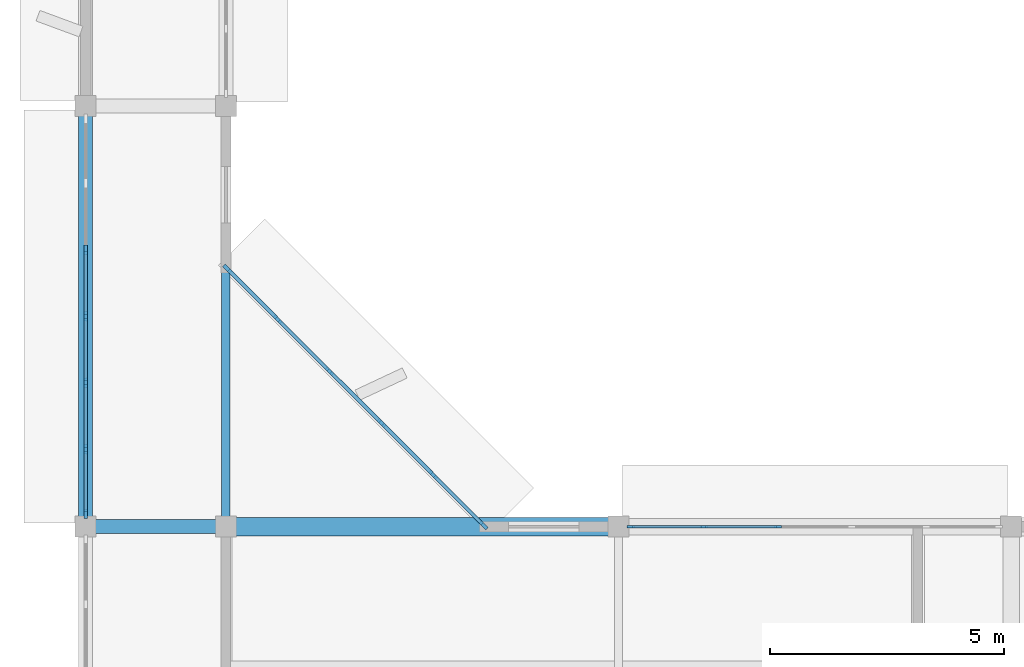
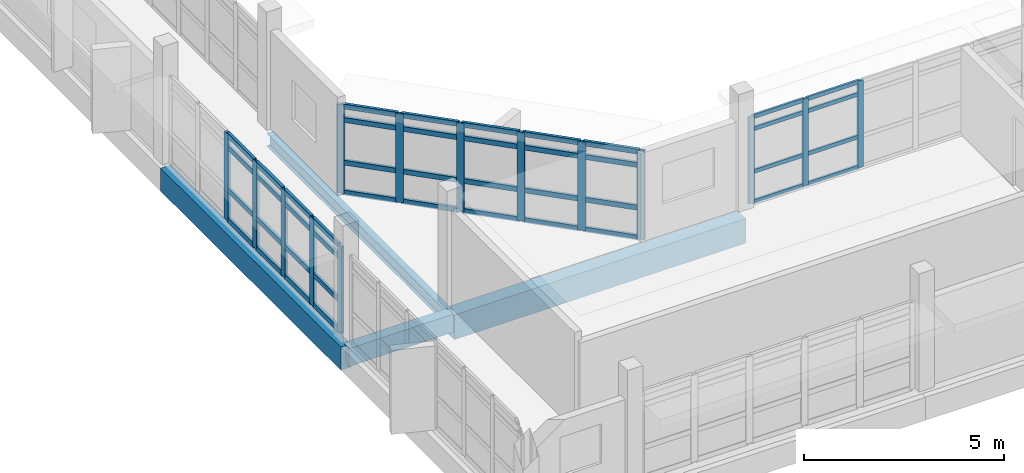
# One storey, part 3 of 42: 58 members, 4 beams, 3 elements without a shape of their own.
"""IFC4 building model written with IfcOpenShell, lengths in metres."""

from ifc_helpers import new_model, si_unit, direction, frame, origin, origin_2d, place, context, subcontext, project, spatial, rectangle, i_section, extrude, material, material_profile, profile_set, type_object, element, aggregate, save


model = new_model("IFC4")

# Units and contexts
model_context = context("Model", 3, precision=1e-05, world=origin(), true_north=direction((0.0, 1.0)))
body_context = subcontext(model_context, "Body", "Model", "MODEL_VIEW")
ifc_project = project(units=[si_unit("LENGTHUNIT", "METRE"), si_unit("AREAUNIT", "SQUARE_METRE"), si_unit("VOLUMEUNIT", "CUBIC_METRE"), si_unit("PLANEANGLEUNIT", "RADIAN"), si_unit("MASSUNIT", "GRAM", prefix="KILO")], contexts=[model_context])

# Site, building, storey
site_placement = place(None, origin())
site = spatial("IfcSite", under=ifc_project, at=site_placement, CompositionType="ELEMENT")
building_placement = place(site_placement, origin())
building = spatial("IfcBuilding", under=site, at=building_placement, Name="Vanh Quang Courtyard School", CompositionType="ELEMENT")
storey_placement = place(building_placement, frame((0.0, 0.0, 15.0)))
storey = spatial("IfcBuildingStorey", under=building, at=storey_placement, Name="L04", CompositionType="ELEMENT", Elevation=15.0)

# Beams
ifc_material_1 = material(Name="Concrete C35/45", Category="concrete")
ifc_material_profile_1 = material_profile(ifc_material_1, rectangle(XDim=0.300048828125, YDim=0.550048828125, at=origin_2d()), Name="RC-BM 300x550")
ifc_profile_set_1 = profile_set([ifc_material_profile_1], Name="Concrete C35/45")
beam_type_1 = type_object("IfcBeamType", Name="BM-RC-300x550", PredefinedType="BEAM", material=ifc_profile_set_1)
beam_1_placement = place(storey_placement, frame((37.800048828125, 41.39990234375, -0.534912109375), z_axis=(1.0, 0.0, 0.0), x_axis=(0.0, 1.0, 0.0)))
element("IfcBeam", 1, at=beam_1_placement, inside=storey, type_object=beam_type_1, Name="Beam B-07 (L04)", PredefinedType="BEAM", context=body_context, shape_type="SweptSolid", body=[
    extrude(rectangle(XDim=0.300048828125, YDim=0.550048828125, at=origin_2d()), origin(), (0.0, 0.0, 1.0), 3.0),
])
ifc_material_profile_2 = material_profile(ifc_material_1, rectangle(XDim=0.39990234375, YDim=0.75, at=origin_2d()), Name="RC-BM 400x750")
ifc_profile_set_2 = profile_set([ifc_material_profile_2], Name="Concrete C35/45")
beam_type_2 = type_object("IfcBeamType", Name="BM-RC-400x750", PredefinedType="BEAM", material=ifc_profile_set_2)
beam_2_placement = place(storey_placement, frame((40.800048828125, 41.39990234375, -0.635009765625), z_axis=(1.0, 0.0, 0.0), x_axis=(0.0, 1.0, 0.0)))
element("IfcBeam", 2, at=beam_2_placement, inside=storey, type_object=beam_type_2, Name="Beam B-03 (L04)", PredefinedType="BEAM", context=body_context, shape_type="SweptSolid", body=[
    extrude(rectangle(XDim=0.39990234375, YDim=0.75, at=origin_2d()), origin(), (0.0, 0.0, 1.0), 8.39990234375),
])
ifc_material_profile_3 = material_profile(ifc_material_1, rectangle(XDim=0.300048828125, YDim=0.699951171875, at=origin_2d()), Name="RC-SP 300x700")
ifc_profile_set_3 = profile_set([ifc_material_profile_3], Name="Concrete C35/45")
beam_type_3 = type_object("IfcBeamType", Name="BM-SP-300x700", PredefinedType="SPANDREL", material=ifc_profile_set_3)
beam_3_placement = place(storey_placement, frame((37.800048828125, 41.39990234375, -0.610107421875), z_axis=(0.0, 1.0, 0.0), x_axis=(-1.0, 0.0, 0.0)))
element("IfcBeam", 3, at=beam_3_placement, inside=storey, type_object=beam_type_3, Name="Beam BS-01 (L04)", PredefinedType="SPANDREL", context=body_context, shape_type="SweptSolid", body=[
    extrude(rectangle(XDim=0.300048828125, YDim=0.699951171875, at=origin_2d()), origin(), (0.0, 0.0, 1.0), 9.0),
])
ifc_material_2 = material(Name="Structural steel EN 10025-2 S355J2", Category="steel")
ifc_material_profile_4 = material_profile(ifc_material_2, i_section(OverallWidth=0.179931640625, OverallDepth=0.39990234375, WebThickness=0.008544921875, FlangeThickness=0.013427734375, FilletRadius=0.02099609375, at=origin_2d()), Name="IPE 400")
ifc_profile_set_4 = profile_set([ifc_material_profile_4], Name="Structural steel EN 10025-2 S355J2")
beam_type_4 = type_object("IfcBeamType", Name="BM-STL-IPE400", PredefinedType="BEAM", material=ifc_profile_set_4)
beam_4_placement = place(storey_placement, frame((40.800048828125, 41.39990234375, -0.4599609375), z_axis=(0.0, 1.0, 0.0), x_axis=(-1.0, 0.0, 0.0)))
element("IfcBeam", 4, at=beam_4_placement, inside=storey, type_object=beam_type_4, Name="Beam SB-05 (L04)", PredefinedType="BEAM", context=body_context, shape_type="SweptSolid", body=[
    extrude(i_section(OverallWidth=0.179931640625, OverallDepth=0.39990234375, WebThickness=0.008544921875, FlangeThickness=0.013427734375, FilletRadius=0.02099609375, at=origin_2d()), origin(), (0.0, 0.0, 1.0), 9.0),
])

# Curtain wall, members
ifc_material_3 = material(Name="Thermally broken aluminium unitised curtain wall", Category="aluminium")
curtain_wall_type_1 = type_object("IfcCurtainWallType", Name="CW-SYS-19", PredefinedType="NOTDEFINED", material=ifc_material_3)
curtain_wall_1_placement = place(storey_placement, origin())
curtain_wall_1 = element("IfcCurtainWall", 5, at=curtain_wall_1_placement, inside=storey, type_object=curtain_wall_type_1, Name="Curtain Wall CW-19 (L04)", PredefinedType="NOTDEFINED")
ifc_material_4 = material(Name="Anodised aluminium 6063-T6", Category="aluminium")
ifc_material_profile_5 = material_profile(ifc_material_4, rectangle(XDim=0.06005859375, YDim=0.159912109375, at=origin_2d()), Name="ALU-MUL 60x160")
ifc_profile_set_5 = profile_set([ifc_material_profile_5], Name="Anodised aluminium 6063-T6")
member_type_1 = type_object("IfcMemberType", Name="CW-MUL-60x160", PredefinedType="MULLION", material=ifc_profile_set_5)
member_1_placement = place(storey_placement, frame((49.462890625, 41.39990234375, 0.0), z_axis=(0.0, 0.0, 1.0), x_axis=(0.0, 1.0, 0.0)))
member_1 = element("IfcMember", 6, at=member_1_placement, type_object=member_type_1, Name="CW-19 mullion 1", PredefinedType="MULLION", context=body_context, shape_type="SweptSolid", body=[
    extrude(rectangle(XDim=0.06005859375, YDim=0.159912109375, at=origin_2d()), origin(), (0.0, 0.0, 1.0), 2.64990234375),
])
member_2_placement = place(storey_placement, frame((51.019775390625, 41.39990234375, 0.0), z_axis=(0.0, 0.0, 1.0), x_axis=(0.0, 1.0, 0.0)))
member_2 = element("IfcMember", 7, at=member_2_placement, type_object=member_type_1, Name="CW-19 mullion 2", PredefinedType="MULLION", context=body_context, shape_type="SweptSolid", body=[
    extrude(rectangle(XDim=0.06005859375, YDim=0.159912109375, at=origin_2d()), origin(), (0.0, 0.0, 1.0), 2.64990234375),
])
member_3_placement = place(storey_placement, frame((52.606689453125, 41.39990234375, 0.0), z_axis=(0.0, 0.0, 1.0), x_axis=(0.0, 1.0, 0.0)))
member_3 = element("IfcMember", 8, at=member_3_placement, type_object=member_type_1, Name="CW-19 mullion 3", PredefinedType="MULLION", context=body_context, shape_type="SweptSolid", body=[
    extrude(rectangle(XDim=0.06005859375, YDim=0.159912109375, at=origin_2d()), origin(), (0.0, 0.0, 1.0), 2.64990234375),
])

curtain_wall_type_2 = type_object("IfcCurtainWallType", Name="CW-SYS-50", PredefinedType="NOTDEFINED", material=ifc_material_3)
curtain_wall_2_placement = place(storey_placement, origin())
curtain_wall_2 = element("IfcCurtainWall", 9, at=curtain_wall_2_placement, inside=storey, type_object=curtain_wall_type_2, Name="Curtain Wall CW-50 (L04)", PredefinedType="NOTDEFINED")
ifc_material_profile_6 = material_profile(ifc_material_4, rectangle(XDim=0.080078125, YDim=0.199951171875, at=origin_2d()), Name="ALU-MUL 80x200")
ifc_profile_set_6 = profile_set([ifc_material_profile_6], Name="Anodised aluminium 6063-T6")
member_type_2 = type_object("IfcMemberType", Name="CW-MUL-80x200", PredefinedType="MULLION", material=ifc_profile_set_6)
member_4_placement = place(storey_placement, frame((37.800048828125, 41.673095703125, 0.0), z_axis=(0.0, 0.0, 1.0), x_axis=(-1.0, 0.0, 0.0)))
member_4 = element("IfcMember", 10, at=member_4_placement, type_object=member_type_2, Name="CW-50 mullion 1", PredefinedType="MULLION", context=body_context, shape_type="SweptSolid", body=[
    extrude(rectangle(XDim=0.080078125, YDim=0.199951171875, at=origin_2d()), origin(), (0.0, 0.0, 1.0), 2.64990234375),
])
member_5_placement = place(storey_placement, frame((37.800048828125, 43.055419921875, 0.0), z_axis=(0.0, 0.0, 1.0), x_axis=(-1.0, 0.0, 0.0)))
member_5 = element("IfcMember", 11, at=member_5_placement, type_object=member_type_2, Name="CW-50 mullion 2", PredefinedType="MULLION", context=body_context, shape_type="SweptSolid", body=[
    extrude(rectangle(XDim=0.080078125, YDim=0.199951171875, at=origin_2d()), origin(), (0.0, 0.0, 1.0), 2.64990234375),
])
member_6_placement = place(storey_placement, frame((37.800048828125, 44.477783203125, 0.0), z_axis=(0.0, 0.0, 1.0), x_axis=(-1.0, 0.0, 0.0)))
member_6 = element("IfcMember", 12, at=member_6_placement, type_object=member_type_2, Name="CW-50 mullion 3", PredefinedType="MULLION", context=body_context, shape_type="SweptSolid", body=[
    extrude(rectangle(XDim=0.080078125, YDim=0.199951171875, at=origin_2d()), origin(), (0.0, 0.0, 1.0), 2.64990234375),
])
member_7_placement = place(storey_placement, frame((37.800048828125, 45.89990234375, 0.0), z_axis=(0.0, 0.0, 1.0), x_axis=(-1.0, 0.0, 0.0)))
member_7 = element("IfcMember", 13, at=member_7_placement, type_object=member_type_2, Name="CW-50 mullion 4", PredefinedType="MULLION", context=body_context, shape_type="SweptSolid", body=[
    extrude(rectangle(XDim=0.080078125, YDim=0.199951171875, at=origin_2d()), origin(), (0.0, 0.0, 1.0), 2.64990234375),
])
member_8_placement = place(storey_placement, frame((37.800048828125, 47.322265625, 0.0), z_axis=(0.0, 0.0, 1.0), x_axis=(-1.0, 0.0, 0.0)))
member_8 = element("IfcMember", 14, at=member_8_placement, type_object=member_type_2, Name="CW-50 mullion 5", PredefinedType="MULLION", context=body_context, shape_type="SweptSolid", body=[
    extrude(rectangle(XDim=0.080078125, YDim=0.199951171875, at=origin_2d()), origin(), (0.0, 0.0, 1.0), 2.64990234375),
])

curtain_wall_type_3 = type_object("IfcCurtainWallType", Name="CW-SYS-51", PredefinedType="NOTDEFINED", material=ifc_material_3)
curtain_wall_3_placement = place(storey_placement, origin())
curtain_wall_3 = element("IfcCurtainWall", 15, at=curtain_wall_3_placement, inside=storey, type_object=curtain_wall_type_3, Name="Curtain Wall CW-51 (L04)", PredefinedType="NOTDEFINED")
member_9_placement = place(storey_placement, frame((40.828369140625, 46.915771484375, 0.0), z_axis=(0.0, 0.0, 1.0), x_axis=(0.707106781187, 0.707106781187, 0.0)))
member_9 = element("IfcMember", 16, at=member_9_placement, type_object=member_type_2, Name="CW-51 mullion 1", PredefinedType="MULLION", context=body_context, shape_type="SweptSolid", body=[
    extrude(rectangle(XDim=0.080078125, YDim=0.199951171875, at=origin_2d()), origin(), (0.0, 0.0, 1.0), 2.699951171875),
])
member_10_placement = place(storey_placement, frame((41.90869140625, 45.835205078125, 0.0), z_axis=(0.0, 0.0, 1.0), x_axis=(0.707106781187, 0.707106781187, 0.0)))
member_10 = element("IfcMember", 17, at=member_10_placement, type_object=member_type_2, Name="CW-51 mullion 2", PredefinedType="MULLION", context=body_context, shape_type="SweptSolid", body=[
    extrude(rectangle(XDim=0.080078125, YDim=0.199951171875, at=origin_2d()), origin(), (0.0, 0.0, 1.0), 2.699951171875),
])
member_11_placement = place(storey_placement, frame((43.017578125, 44.726318359375, 0.0), z_axis=(0.0, 0.0, 1.0), x_axis=(0.707106781187, 0.707106781187, 0.0)))
member_11 = element("IfcMember", 18, at=member_11_placement, type_object=member_type_2, Name="CW-51 mullion 3", PredefinedType="MULLION", context=body_context, shape_type="SweptSolid", body=[
    extrude(rectangle(XDim=0.080078125, YDim=0.199951171875, at=origin_2d()), origin(), (0.0, 0.0, 1.0), 2.699951171875),
])
member_12_placement = place(storey_placement, frame((44.12646484375, 43.61767578125, 0.0), z_axis=(0.0, 0.0, 1.0), x_axis=(0.707106781187, 0.707106781187, 0.0)))
member_12 = element("IfcMember", 19, at=member_12_placement, type_object=member_type_2, Name="CW-51 mullion 4", PredefinedType="MULLION", context=body_context, shape_type="SweptSolid", body=[
    extrude(rectangle(XDim=0.080078125, YDim=0.199951171875, at=origin_2d()), origin(), (0.0, 0.0, 1.0), 2.699951171875),
])
member_13_placement = place(storey_placement, frame((45.235107421875, 42.5087890625, 0.0), z_axis=(0.0, 0.0, 1.0), x_axis=(0.707106781187, 0.707106781187, 0.0)))
member_13 = element("IfcMember", 20, at=member_13_placement, type_object=member_type_2, Name="CW-51 mullion 5", PredefinedType="MULLION", context=body_context, shape_type="SweptSolid", body=[
    extrude(rectangle(XDim=0.080078125, YDim=0.199951171875, at=origin_2d()), origin(), (0.0, 0.0, 1.0), 2.699951171875),
])
member_14_placement = place(storey_placement, frame((46.315673828125, 41.42822265625, 0.0), z_axis=(0.0, 0.0, 1.0), x_axis=(0.707106781187, 0.707106781187, 0.0)))
member_14 = element("IfcMember", 21, at=member_14_placement, type_object=member_type_2, Name="CW-51 mullion 6", PredefinedType="MULLION", context=body_context, shape_type="SweptSolid", body=[
    extrude(rectangle(XDim=0.080078125, YDim=0.199951171875, at=origin_2d()), origin(), (0.0, 0.0, 1.0), 2.699951171875),
])

# Member
ifc_material_profile_7 = material_profile(ifc_material_4, rectangle(XDim=0.06005859375, YDim=0.1201171875, at=origin_2d()), Name="ALU-TRN 60x120")
ifc_profile_set_7 = profile_set([ifc_material_profile_7], Name="Anodised aluminium 6063-T6")
member_type_3 = type_object("IfcMemberType", Name="CW-TRN-60x120", PredefinedType="USERDEFINED", material=ifc_profile_set_7)
member_15_placement = place(storey_placement, frame((49.492919921875, 41.39990234375, 0.030029296875), z_axis=(1.0, 0.0, 0.0), x_axis=(0.0, 1.0, 0.0)))
member_15 = element("IfcMember", 22, at=member_15_placement, type_object=member_type_3, Name="CW-19 transom 1.1", ObjectType="TRANSOM", PredefinedType="USERDEFINED", context=body_context, shape_type="SweptSolid", body=[
    extrude(rectangle(XDim=0.06005859375, YDim=0.1201171875, at=origin_2d()), origin(), (0.0, 0.0, 1.0), 1.496826171875),
])

member_16_placement = place(storey_placement, frame((49.492919921875, 41.39990234375, 0.949951171875), z_axis=(1.0, 0.0, 0.0), x_axis=(0.0, 1.0, 0.0)))
member_16 = element("IfcMember", 23, at=member_16_placement, type_object=member_type_3, Name="CW-19 transom 1.2", ObjectType="TRANSOM", PredefinedType="USERDEFINED", context=body_context, shape_type="SweptSolid", body=[
    extrude(rectangle(XDim=0.06005859375, YDim=0.1201171875, at=origin_2d()), origin(), (0.0, 0.0, 1.0), 1.496826171875),
])

member_17_placement = place(storey_placement, frame((49.492919921875, 41.39990234375, 2.25), z_axis=(1.0, 0.0, 0.0), x_axis=(0.0, 1.0, 0.0)))
member_17 = element("IfcMember", 24, at=member_17_placement, type_object=member_type_3, Name="CW-19 transom 1.3", ObjectType="TRANSOM", PredefinedType="USERDEFINED", context=body_context, shape_type="SweptSolid", body=[
    extrude(rectangle(XDim=0.06005859375, YDim=0.1201171875, at=origin_2d()), origin(), (0.0, 0.0, 1.0), 1.496826171875),
])

member_18_placement = place(storey_placement, frame((49.492919921875, 41.39990234375, 2.6201171875), z_axis=(1.0, 0.0, 0.0), x_axis=(0.0, 1.0, 0.0)))
member_18 = element("IfcMember", 25, at=member_18_placement, type_object=member_type_3, Name="CW-19 transom 1.4", ObjectType="TRANSOM", PredefinedType="USERDEFINED", context=body_context, shape_type="SweptSolid", body=[
    extrude(rectangle(XDim=0.06005859375, YDim=0.1201171875, at=origin_2d()), origin(), (0.0, 0.0, 1.0), 1.496826171875),
])

member_19_placement = place(storey_placement, frame((51.0498046875, 41.39990234375, 0.030029296875), z_axis=(1.0, 0.0, 0.0), x_axis=(0.0, 1.0, 0.0)))
member_19 = element("IfcMember", 26, at=member_19_placement, type_object=member_type_3, Name="CW-19 transom 2.1", ObjectType="TRANSOM", PredefinedType="USERDEFINED", context=body_context, shape_type="SweptSolid", body=[
    extrude(rectangle(XDim=0.06005859375, YDim=0.1201171875, at=origin_2d()), origin(), (0.0, 0.0, 1.0), 1.52685546875),
])

member_20_placement = place(storey_placement, frame((51.0498046875, 41.39990234375, 0.949951171875), z_axis=(1.0, 0.0, 0.0), x_axis=(0.0, 1.0, 0.0)))
member_20 = element("IfcMember", 27, at=member_20_placement, type_object=member_type_3, Name="CW-19 transom 2.2", ObjectType="TRANSOM", PredefinedType="USERDEFINED", context=body_context, shape_type="SweptSolid", body=[
    extrude(rectangle(XDim=0.06005859375, YDim=0.1201171875, at=origin_2d()), origin(), (0.0, 0.0, 1.0), 1.52685546875),
])

member_21_placement = place(storey_placement, frame((51.0498046875, 41.39990234375, 2.25), z_axis=(1.0, 0.0, 0.0), x_axis=(0.0, 1.0, 0.0)))
member_21 = element("IfcMember", 28, at=member_21_placement, type_object=member_type_3, Name="CW-19 transom 2.3", ObjectType="TRANSOM", PredefinedType="USERDEFINED", context=body_context, shape_type="SweptSolid", body=[
    extrude(rectangle(XDim=0.06005859375, YDim=0.1201171875, at=origin_2d()), origin(), (0.0, 0.0, 1.0), 1.52685546875),
])

member_22_placement = place(storey_placement, frame((51.0498046875, 41.39990234375, 2.6201171875), z_axis=(1.0, 0.0, 0.0), x_axis=(0.0, 1.0, 0.0)))
member_22 = element("IfcMember", 29, at=member_22_placement, type_object=member_type_3, Name="CW-19 transom 2.4", ObjectType="TRANSOM", PredefinedType="USERDEFINED", context=body_context, shape_type="SweptSolid", body=[
    extrude(rectangle(XDim=0.06005859375, YDim=0.1201171875, at=origin_2d()), origin(), (0.0, 0.0, 1.0), 1.52685546875),
])

aggregate(curtain_wall_1, [member_1, member_2, member_3, member_15, member_16, member_17, member_18, member_19, member_20, member_21, member_22])

ifc_material_profile_8 = material_profile(ifc_material_4, rectangle(XDim=0.080078125, YDim=0.14990234375, at=origin_2d()), Name="ALU-TRN 80x150")
ifc_profile_set_8 = profile_set([ifc_material_profile_8], Name="Anodised aluminium 6063-T6")
member_type_4 = type_object("IfcMemberType", Name="CW-TRN-80x150", PredefinedType="USERDEFINED", material=ifc_profile_set_8)
member_23_placement = place(storey_placement, frame((37.800048828125, 41.712890625, 0.0400390625), z_axis=(0.0, 1.0, 0.0), x_axis=(-1.0, 0.0, 0.0)))
member_23 = element("IfcMember", 30, at=member_23_placement, type_object=member_type_4, Name="CW-50 transom 1.1", ObjectType="TRANSOM", PredefinedType="USERDEFINED", context=body_context, shape_type="SweptSolid", body=[
    extrude(rectangle(XDim=0.080078125, YDim=0.14990234375, at=origin_2d()), origin(), (0.0, 0.0, 1.0), 1.302490234375),
])

member_24_placement = place(storey_placement, frame((37.800048828125, 41.712890625, 0.949951171875), z_axis=(0.0, 1.0, 0.0), x_axis=(-1.0, 0.0, 0.0)))
member_24 = element("IfcMember", 31, at=member_24_placement, type_object=member_type_4, Name="CW-50 transom 1.2", ObjectType="TRANSOM", PredefinedType="USERDEFINED", context=body_context, shape_type="SweptSolid", body=[
    extrude(rectangle(XDim=0.080078125, YDim=0.14990234375, at=origin_2d()), origin(), (0.0, 0.0, 1.0), 1.302490234375),
])

member_25_placement = place(storey_placement, frame((37.800048828125, 41.712890625, 2.25), z_axis=(0.0, 1.0, 0.0), x_axis=(-1.0, 0.0, 0.0)))
member_25 = element("IfcMember", 32, at=member_25_placement, type_object=member_type_4, Name="CW-50 transom 1.3", ObjectType="TRANSOM", PredefinedType="USERDEFINED", context=body_context, shape_type="SweptSolid", body=[
    extrude(rectangle(XDim=0.080078125, YDim=0.14990234375, at=origin_2d()), origin(), (0.0, 0.0, 1.0), 1.302490234375),
])

member_26_placement = place(storey_placement, frame((37.800048828125, 41.712890625, 2.610107421875), z_axis=(0.0, 1.0, 0.0), x_axis=(-1.0, 0.0, 0.0)))
member_26 = element("IfcMember", 33, at=member_26_placement, type_object=member_type_4, Name="CW-50 transom 1.4", ObjectType="TRANSOM", PredefinedType="USERDEFINED", context=body_context, shape_type="SweptSolid", body=[
    extrude(rectangle(XDim=0.080078125, YDim=0.14990234375, at=origin_2d()), origin(), (0.0, 0.0, 1.0), 1.302490234375),
])

member_27_placement = place(storey_placement, frame((37.800048828125, 43.09521484375, 0.0400390625), z_axis=(0.0, 1.0, 0.0), x_axis=(-1.0, 0.0, 0.0)))
member_27 = element("IfcMember", 34, at=member_27_placement, type_object=member_type_4, Name="CW-50 transom 2.1", ObjectType="TRANSOM", PredefinedType="USERDEFINED", context=body_context, shape_type="SweptSolid", body=[
    extrude(rectangle(XDim=0.080078125, YDim=0.14990234375, at=origin_2d()), origin(), (0.0, 0.0, 1.0), 1.342529296875),
])

member_28_placement = place(storey_placement, frame((37.800048828125, 43.09521484375, 0.949951171875), z_axis=(0.0, 1.0, 0.0), x_axis=(-1.0, 0.0, 0.0)))
member_28 = element("IfcMember", 35, at=member_28_placement, type_object=member_type_4, Name="CW-50 transom 2.2", ObjectType="TRANSOM", PredefinedType="USERDEFINED", context=body_context, shape_type="SweptSolid", body=[
    extrude(rectangle(XDim=0.080078125, YDim=0.14990234375, at=origin_2d()), origin(), (0.0, 0.0, 1.0), 1.342529296875),
])

member_29_placement = place(storey_placement, frame((37.800048828125, 43.09521484375, 2.25), z_axis=(0.0, 1.0, 0.0), x_axis=(-1.0, 0.0, 0.0)))
member_29 = element("IfcMember", 36, at=member_29_placement, type_object=member_type_4, Name="CW-50 transom 2.3", ObjectType="TRANSOM", PredefinedType="USERDEFINED", context=body_context, shape_type="SweptSolid", body=[
    extrude(rectangle(XDim=0.080078125, YDim=0.14990234375, at=origin_2d()), origin(), (0.0, 0.0, 1.0), 1.342529296875),
])

member_30_placement = place(storey_placement, frame((37.800048828125, 43.09521484375, 2.610107421875), z_axis=(0.0, 1.0, 0.0), x_axis=(-1.0, 0.0, 0.0)))
member_30 = element("IfcMember", 37, at=member_30_placement, type_object=member_type_4, Name="CW-50 transom 2.4", ObjectType="TRANSOM", PredefinedType="USERDEFINED", context=body_context, shape_type="SweptSolid", body=[
    extrude(rectangle(XDim=0.080078125, YDim=0.14990234375, at=origin_2d()), origin(), (0.0, 0.0, 1.0), 1.342529296875),
])

member_31_placement = place(storey_placement, frame((37.800048828125, 44.517578125, 0.0400390625), z_axis=(0.0, 1.0, 0.0), x_axis=(-1.0, 0.0, 0.0)))
member_31 = element("IfcMember", 38, at=member_31_placement, type_object=member_type_4, Name="CW-50 transom 3.1", ObjectType="TRANSOM", PredefinedType="USERDEFINED", context=body_context, shape_type="SweptSolid", body=[
    extrude(rectangle(XDim=0.080078125, YDim=0.14990234375, at=origin_2d()), origin(), (0.0, 0.0, 1.0), 1.342529296875),
])

member_32_placement = place(storey_placement, frame((37.800048828125, 44.517578125, 0.949951171875), z_axis=(0.0, 1.0, 0.0), x_axis=(-1.0, 0.0, 0.0)))
member_32 = element("IfcMember", 39, at=member_32_placement, type_object=member_type_4, Name="CW-50 transom 3.2", ObjectType="TRANSOM", PredefinedType="USERDEFINED", context=body_context, shape_type="SweptSolid", body=[
    extrude(rectangle(XDim=0.080078125, YDim=0.14990234375, at=origin_2d()), origin(), (0.0, 0.0, 1.0), 1.342529296875),
])

member_33_placement = place(storey_placement, frame((37.800048828125, 44.517578125, 2.25), z_axis=(0.0, 1.0, 0.0), x_axis=(-1.0, 0.0, 0.0)))
member_33 = element("IfcMember", 40, at=member_33_placement, type_object=member_type_4, Name="CW-50 transom 3.3", ObjectType="TRANSOM", PredefinedType="USERDEFINED", context=body_context, shape_type="SweptSolid", body=[
    extrude(rectangle(XDim=0.080078125, YDim=0.14990234375, at=origin_2d()), origin(), (0.0, 0.0, 1.0), 1.342529296875),
])

member_34_placement = place(storey_placement, frame((37.800048828125, 44.517578125, 2.610107421875), z_axis=(0.0, 1.0, 0.0), x_axis=(-1.0, 0.0, 0.0)))
member_34 = element("IfcMember", 41, at=member_34_placement, type_object=member_type_4, Name="CW-50 transom 3.4", ObjectType="TRANSOM", PredefinedType="USERDEFINED", context=body_context, shape_type="SweptSolid", body=[
    extrude(rectangle(XDim=0.080078125, YDim=0.14990234375, at=origin_2d()), origin(), (0.0, 0.0, 1.0), 1.342529296875),
])

member_35_placement = place(storey_placement, frame((37.800048828125, 45.93994140625, 0.0400390625), z_axis=(0.0, 1.0, 0.0), x_axis=(-1.0, 0.0, 0.0)))
member_35 = element("IfcMember", 42, at=member_35_placement, type_object=member_type_4, Name="CW-50 transom 4.1", ObjectType="TRANSOM", PredefinedType="USERDEFINED", context=body_context, shape_type="SweptSolid", body=[
    extrude(rectangle(XDim=0.080078125, YDim=0.14990234375, at=origin_2d()), origin(), (0.0, 0.0, 1.0), 1.34228515625),
])

member_36_placement = place(storey_placement, frame((37.800048828125, 45.93994140625, 0.949951171875), z_axis=(0.0, 1.0, 0.0), x_axis=(-1.0, 0.0, 0.0)))
member_36 = element("IfcMember", 43, at=member_36_placement, type_object=member_type_4, Name="CW-50 transom 4.2", ObjectType="TRANSOM", PredefinedType="USERDEFINED", context=body_context, shape_type="SweptSolid", body=[
    extrude(rectangle(XDim=0.080078125, YDim=0.14990234375, at=origin_2d()), origin(), (0.0, 0.0, 1.0), 1.34228515625),
])

member_37_placement = place(storey_placement, frame((37.800048828125, 45.93994140625, 2.25), z_axis=(0.0, 1.0, 0.0), x_axis=(-1.0, 0.0, 0.0)))
member_37 = element("IfcMember", 44, at=member_37_placement, type_object=member_type_4, Name="CW-50 transom 4.3", ObjectType="TRANSOM", PredefinedType="USERDEFINED", context=body_context, shape_type="SweptSolid", body=[
    extrude(rectangle(XDim=0.080078125, YDim=0.14990234375, at=origin_2d()), origin(), (0.0, 0.0, 1.0), 1.34228515625),
])

member_38_placement = place(storey_placement, frame((37.800048828125, 45.93994140625, 2.610107421875), z_axis=(0.0, 1.0, 0.0), x_axis=(-1.0, 0.0, 0.0)))
member_38 = element("IfcMember", 45, at=member_38_placement, type_object=member_type_4, Name="CW-50 transom 4.4", ObjectType="TRANSOM", PredefinedType="USERDEFINED", context=body_context, shape_type="SweptSolid", body=[
    extrude(rectangle(XDim=0.080078125, YDim=0.14990234375, at=origin_2d()), origin(), (0.0, 0.0, 1.0), 1.34228515625),
])

aggregate(curtain_wall_2, [member_4, member_5, member_6, member_7, member_8, member_23, member_24, member_25, member_26, member_27, member_28, member_29, member_30, member_31, member_32, member_33, member_34, member_35, member_36, member_37, member_38])

member_39_placement = place(storey_placement, frame((40.856689453125, 46.887451171875, 0.0400390625), z_axis=(0.707106781187, -0.707106781187, 0.0), x_axis=(0.707106781187, 0.707106781187, 0.0)))
member_39 = element("IfcMember", 46, at=member_39_placement, type_object=member_type_4, Name="CW-51 transom 1.1", ObjectType="TRANSOM", PredefinedType="USERDEFINED", context=body_context, shape_type="SweptSolid", body=[
    extrude(rectangle(XDim=0.080078125, YDim=0.14990234375, at=origin_2d()), origin(), (0.0, 0.0, 1.0), 1.447998046875),
])

member_40_placement = place(storey_placement, frame((40.856689453125, 46.887451171875, 0.949951171875), z_axis=(0.707106781187, -0.707106781187, 0.0), x_axis=(0.707106781187, 0.707106781187, 0.0)))
member_40 = element("IfcMember", 47, at=member_40_placement, type_object=member_type_4, Name="CW-51 transom 1.2", ObjectType="TRANSOM", PredefinedType="USERDEFINED", context=body_context, shape_type="SweptSolid", body=[
    extrude(rectangle(XDim=0.080078125, YDim=0.14990234375, at=origin_2d()), origin(), (0.0, 0.0, 1.0), 1.447998046875),
])

member_41_placement = place(storey_placement, frame((40.856689453125, 46.887451171875, 2.25), z_axis=(0.707106781187, -0.707106781187, 0.0), x_axis=(0.707106781187, 0.707106781187, 0.0)))
member_41 = element("IfcMember", 48, at=member_41_placement, type_object=member_type_4, Name="CW-51 transom 1.3", ObjectType="TRANSOM", PredefinedType="USERDEFINED", context=body_context, shape_type="SweptSolid", body=[
    extrude(rectangle(XDim=0.080078125, YDim=0.14990234375, at=origin_2d()), origin(), (0.0, 0.0, 1.0), 1.447998046875),
])

member_42_placement = place(storey_placement, frame((40.856689453125, 46.887451171875, 2.659912109375), z_axis=(0.707106781187, -0.707106781187, 0.0), x_axis=(0.707106781187, 0.707106781187, 0.0)))
member_42 = element("IfcMember", 49, at=member_42_placement, type_object=member_type_4, Name="CW-51 transom 1.4", ObjectType="TRANSOM", PredefinedType="USERDEFINED", context=body_context, shape_type="SweptSolid", body=[
    extrude(rectangle(XDim=0.080078125, YDim=0.14990234375, at=origin_2d()), origin(), (0.0, 0.0, 1.0), 1.447998046875),
])

member_43_placement = place(storey_placement, frame((41.93701171875, 45.806884765625, 0.0400390625), z_axis=(0.707106781187, -0.707106781187, 0.0), x_axis=(0.707106781187, 0.707106781187, 0.0)))
member_43 = element("IfcMember", 50, at=member_43_placement, type_object=member_type_4, Name="CW-51 transom 2.1", ObjectType="TRANSOM", PredefinedType="USERDEFINED", context=body_context, shape_type="SweptSolid", body=[
    extrude(rectangle(XDim=0.080078125, YDim=0.14990234375, at=origin_2d()), origin(), (0.0, 0.0, 1.0), 1.488037109375),
])

member_44_placement = place(storey_placement, frame((41.93701171875, 45.806884765625, 0.949951171875), z_axis=(0.707106781187, -0.707106781187, 0.0), x_axis=(0.707106781187, 0.707106781187, 0.0)))
member_44 = element("IfcMember", 51, at=member_44_placement, type_object=member_type_4, Name="CW-51 transom 2.2", ObjectType="TRANSOM", PredefinedType="USERDEFINED", context=body_context, shape_type="SweptSolid", body=[
    extrude(rectangle(XDim=0.080078125, YDim=0.14990234375, at=origin_2d()), origin(), (0.0, 0.0, 1.0), 1.488037109375),
])

member_45_placement = place(storey_placement, frame((41.93701171875, 45.806884765625, 2.25), z_axis=(0.707106781187, -0.707106781187, 0.0), x_axis=(0.707106781187, 0.707106781187, 0.0)))
member_45 = element("IfcMember", 52, at=member_45_placement, type_object=member_type_4, Name="CW-51 transom 2.3", ObjectType="TRANSOM", PredefinedType="USERDEFINED", context=body_context, shape_type="SweptSolid", body=[
    extrude(rectangle(XDim=0.080078125, YDim=0.14990234375, at=origin_2d()), origin(), (0.0, 0.0, 1.0), 1.488037109375),
])

member_46_placement = place(storey_placement, frame((41.93701171875, 45.806884765625, 2.659912109375), z_axis=(0.707106781187, -0.707106781187, 0.0), x_axis=(0.707106781187, 0.707106781187, 0.0)))
member_46 = element("IfcMember", 53, at=member_46_placement, type_object=member_type_4, Name="CW-51 transom 2.4", ObjectType="TRANSOM", PredefinedType="USERDEFINED", context=body_context, shape_type="SweptSolid", body=[
    extrude(rectangle(XDim=0.080078125, YDim=0.14990234375, at=origin_2d()), origin(), (0.0, 0.0, 1.0), 1.488037109375),
])

member_47_placement = place(storey_placement, frame((43.0458984375, 44.697998046875, 0.0400390625), z_axis=(0.707188816893, -0.707024735961, 0.0), x_axis=(0.707024735961, 0.707188816893, 0.0)))
member_47 = element("IfcMember", 54, at=member_47_placement, type_object=member_type_4, Name="CW-51 transom 3.1", ObjectType="TRANSOM", PredefinedType="USERDEFINED", context=body_context, shape_type="SweptSolid", body=[
    extrude(rectangle(XDim=0.080078125, YDim=0.14990234375, at=origin_2d()), origin(), (0.0, 0.0, 1.0), 1.488037109375),
])

member_48_placement = place(storey_placement, frame((43.0458984375, 44.697998046875, 0.949951171875), z_axis=(0.707188816893, -0.707024735961, 0.0), x_axis=(0.707024735961, 0.707188816893, 0.0)))
member_48 = element("IfcMember", 55, at=member_48_placement, type_object=member_type_4, Name="CW-51 transom 3.2", ObjectType="TRANSOM", PredefinedType="USERDEFINED", context=body_context, shape_type="SweptSolid", body=[
    extrude(rectangle(XDim=0.080078125, YDim=0.14990234375, at=origin_2d()), origin(), (0.0, 0.0, 1.0), 1.488037109375),
])

member_49_placement = place(storey_placement, frame((43.0458984375, 44.697998046875, 2.25), z_axis=(0.707188816893, -0.707024735961, 0.0), x_axis=(0.707024735961, 0.707188816893, 0.0)))
member_49 = element("IfcMember", 56, at=member_49_placement, type_object=member_type_4, Name="CW-51 transom 3.3", ObjectType="TRANSOM", PredefinedType="USERDEFINED", context=body_context, shape_type="SweptSolid", body=[
    extrude(rectangle(XDim=0.080078125, YDim=0.14990234375, at=origin_2d()), origin(), (0.0, 0.0, 1.0), 1.488037109375),
])

member_50_placement = place(storey_placement, frame((43.0458984375, 44.697998046875, 2.659912109375), z_axis=(0.707188816893, -0.707024735961, 0.0), x_axis=(0.707024735961, 0.707188816893, 0.0)))
member_50 = element("IfcMember", 57, at=member_50_placement, type_object=member_type_4, Name="CW-51 transom 3.4", ObjectType="TRANSOM", PredefinedType="USERDEFINED", context=body_context, shape_type="SweptSolid", body=[
    extrude(rectangle(XDim=0.080078125, YDim=0.14990234375, at=origin_2d()), origin(), (0.0, 0.0, 1.0), 1.488037109375),
])

member_51_placement = place(storey_placement, frame((44.15478515625, 43.58935546875, 0.0400390625), z_axis=(0.707106781187, -0.707106781187, 0.0), x_axis=(0.707106781187, 0.707106781187, 0.0)))
member_51 = element("IfcMember", 58, at=member_51_placement, type_object=member_type_4, Name="CW-51 transom 4.1", ObjectType="TRANSOM", PredefinedType="USERDEFINED", context=body_context, shape_type="SweptSolid", body=[
    extrude(rectangle(XDim=0.080078125, YDim=0.14990234375, at=origin_2d()), origin(), (0.0, 0.0, 1.0), 1.488037109375),
])

member_52_placement = place(storey_placement, frame((44.15478515625, 43.58935546875, 0.949951171875), z_axis=(0.707106781187, -0.707106781187, 0.0), x_axis=(0.707106781187, 0.707106781187, 0.0)))
member_52 = element("IfcMember", 59, at=member_52_placement, type_object=member_type_4, Name="CW-51 transom 4.2", ObjectType="TRANSOM", PredefinedType="USERDEFINED", context=body_context, shape_type="SweptSolid", body=[
    extrude(rectangle(XDim=0.080078125, YDim=0.14990234375, at=origin_2d()), origin(), (0.0, 0.0, 1.0), 1.488037109375),
])

member_53_placement = place(storey_placement, frame((44.15478515625, 43.58935546875, 2.25), z_axis=(0.707106781187, -0.707106781187, 0.0), x_axis=(0.707106781187, 0.707106781187, 0.0)))
member_53 = element("IfcMember", 60, at=member_53_placement, type_object=member_type_4, Name="CW-51 transom 4.3", ObjectType="TRANSOM", PredefinedType="USERDEFINED", context=body_context, shape_type="SweptSolid", body=[
    extrude(rectangle(XDim=0.080078125, YDim=0.14990234375, at=origin_2d()), origin(), (0.0, 0.0, 1.0), 1.488037109375),
])

member_54_placement = place(storey_placement, frame((44.15478515625, 43.58935546875, 2.659912109375), z_axis=(0.707106781187, -0.707106781187, 0.0), x_axis=(0.707106781187, 0.707106781187, 0.0)))
member_54 = element("IfcMember", 61, at=member_54_placement, type_object=member_type_4, Name="CW-51 transom 4.4", ObjectType="TRANSOM", PredefinedType="USERDEFINED", context=body_context, shape_type="SweptSolid", body=[
    extrude(rectangle(XDim=0.080078125, YDim=0.14990234375, at=origin_2d()), origin(), (0.0, 0.0, 1.0), 1.488037109375),
])

member_55_placement = place(storey_placement, frame((45.263427734375, 42.48046875, 0.0400390625), z_axis=(0.707106781187, -0.707106781187, 0.0), x_axis=(0.707106781187, 0.707106781187, 0.0)))
member_55 = element("IfcMember", 62, at=member_55_placement, type_object=member_type_4, Name="CW-51 transom 5.1", ObjectType="TRANSOM", PredefinedType="USERDEFINED", context=body_context, shape_type="SweptSolid", body=[
    extrude(rectangle(XDim=0.080078125, YDim=0.14990234375, at=origin_2d()), origin(), (0.0, 0.0, 1.0), 1.447998046875),
])

member_56_placement = place(storey_placement, frame((45.263427734375, 42.48046875, 0.949951171875), z_axis=(0.707106781187, -0.707106781187, 0.0), x_axis=(0.707106781187, 0.707106781187, 0.0)))
member_56 = element("IfcMember", 63, at=member_56_placement, type_object=member_type_4, Name="CW-51 transom 5.2", ObjectType="TRANSOM", PredefinedType="USERDEFINED", context=body_context, shape_type="SweptSolid", body=[
    extrude(rectangle(XDim=0.080078125, YDim=0.14990234375, at=origin_2d()), origin(), (0.0, 0.0, 1.0), 1.447998046875),
])

member_57_placement = place(storey_placement, frame((45.263427734375, 42.48046875, 2.25), z_axis=(0.707106781187, -0.707106781187, 0.0), x_axis=(0.707106781187, 0.707106781187, 0.0)))
member_57 = element("IfcMember", 64, at=member_57_placement, type_object=member_type_4, Name="CW-51 transom 5.3", ObjectType="TRANSOM", PredefinedType="USERDEFINED", context=body_context, shape_type="SweptSolid", body=[
    extrude(rectangle(XDim=0.080078125, YDim=0.14990234375, at=origin_2d()), origin(), (0.0, 0.0, 1.0), 1.447998046875),
])

member_58_placement = place(storey_placement, frame((45.263427734375, 42.48046875, 2.659912109375), z_axis=(0.707106781187, -0.707106781187, 0.0), x_axis=(0.707106781187, 0.707106781187, 0.0)))
member_58 = element("IfcMember", 65, at=member_58_placement, type_object=member_type_4, Name="CW-51 transom 5.4", ObjectType="TRANSOM", PredefinedType="USERDEFINED", context=body_context, shape_type="SweptSolid", body=[
    extrude(rectangle(XDim=0.080078125, YDim=0.14990234375, at=origin_2d()), origin(), (0.0, 0.0, 1.0), 1.447998046875),
])

aggregate(curtain_wall_3, [member_9, member_10, member_11, member_12, member_13, member_14, member_39, member_40, member_41, member_42, member_43, member_44, member_45, member_46, member_47, member_48, member_49, member_50, member_51, member_52, member_53, member_54, member_55, member_56, member_57, member_58])

save(model, "model.ifc")
